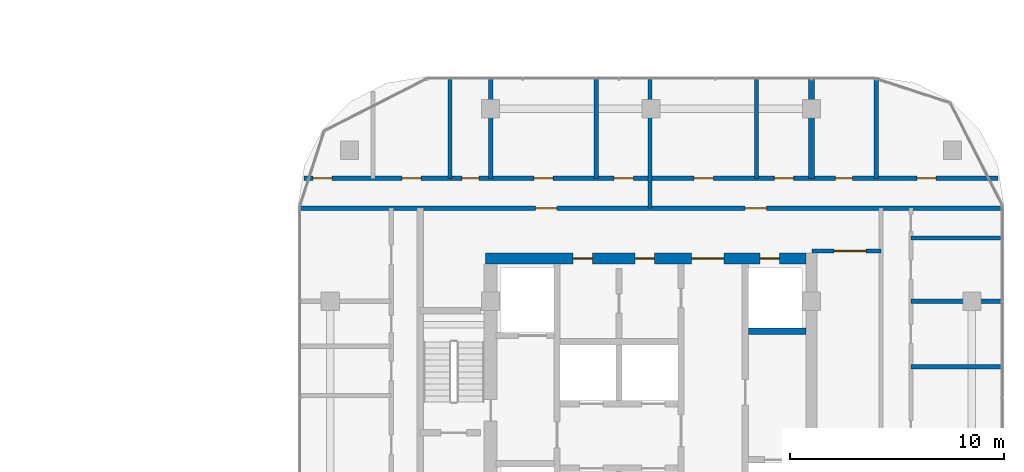
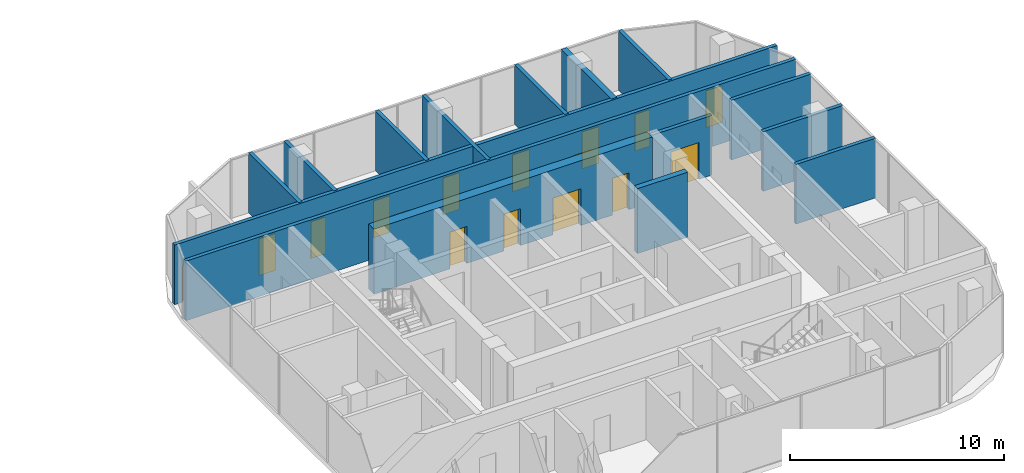
# One storey, part 22 of 31: 16 doors, 15 walls, 16 openings.
"""IFC4 building model written with IfcOpenShell, lengths in metres."""

from ifc_helpers import new_model, si_unit, direction, frame, frame_2d, origin, place, context, subcontext, project, spatial, rectangle, extrude, material, layer, layer_set, type_object, element, fill, save


model = new_model("IFC4")

# Units and contexts
model_context = context("Model", 3, precision=1e-05, world=origin(), true_north=direction((0.0, 1.0)))
body_context = subcontext(model_context, "Body", "Model", "MODEL_VIEW")
ifc_project = project(units=[si_unit("LENGTHUNIT", "METRE"), si_unit("AREAUNIT", "SQUARE_METRE"), si_unit("VOLUMEUNIT", "CUBIC_METRE"), si_unit("PLANEANGLEUNIT", "RADIAN"), si_unit("MASSUNIT", "GRAM", prefix="KILO")], contexts=[model_context])

# Site, building, storey
site_placement = place(None, origin())
site = spatial("IfcSite", under=ifc_project, at=site_placement, CompositionType="ELEMENT")
building_placement = place(site_placement, origin())
building = spatial("IfcBuilding", under=site, at=building_placement, Name="Ogive Portal Towers", CompositionType="ELEMENT")
storey_placement = place(building_placement, frame((0.0, 0.0, 74.199951171875)))
storey = spatial("IfcBuildingStorey", under=building, at=storey_placement, Name="L17", CompositionType="ELEMENT", Elevation=74.199951171875)

# Wall
ifc_material_1 = material(Name="Concrete C60/75", Category="concrete")
ifc_layer_1 = layer(ifc_material_1, 0.300048828125)
ifc_layer_set_1 = layer_set([ifc_layer_1], Name="CORE WALL 300 C60")
wall_type_1 = type_object("IfcWallType", Name="CORE WALL 300 C60", PredefinedType="SHEAR", material=ifc_layer_set_1)
wall_1_placement = place(storey_placement, frame((141.050048828125, 34.10009765625, 0.0), z_axis=(0.0, 0.0, 1.0), x_axis=(1.0, 0.0, 0.0)))
element("IfcWall", 1, at=wall_1_placement, inside=storey, type_object=wall_type_1, Name="Tower B core wall BY7 L17", PredefinedType="SHEAR", context=body_context, shape_type="SweptSolid", body=[
    extrude(rectangle(XDim=2.699951171875, YDim=0.300048828125, at=frame_2d((1.35009765625, 0.0))), origin(), (0.0, 0.0, 1.0), 3.699951171875),
])

# Wall, openings, doors
ifc_layer_2 = layer(ifc_material_1, 0.5)
ifc_layer_set_2 = layer_set([ifc_layer_2], Name="CORE WALL 500 C60")
wall_type_2 = type_object("IfcWallType", Name="CORE WALL 500 C60", PredefinedType="SHEAR", material=ifc_layer_set_2)
wall_2_placement = place(storey_placement, frame((128.75, 37.5, 0.0), z_axis=(0.0, 0.0, 1.0), x_axis=(1.0, 0.0, 0.0)))
wall_2 = element("IfcWall", 2, at=wall_2_placement, inside=storey, type_object=wall_type_2, Name="Tower B core wall BN L17", PredefinedType="SHEAR", context=body_context, shape_type="SweptSolid", body=[
    extrude(rectangle(XDim=15.0, YDim=0.5, at=frame_2d((7.5, 0.0))), origin(), (0.0, 0.0, 1.0), 3.699951171875),
])
opening_1_placement = place(wall_2_placement, frame((9.64990234375, 0.0, 0.0)))
opening_1 = element("IfcOpeningElement", 3, at=opening_1_placement, cuts=wall_2, Name="Opening B05-046", PredefinedType="OPENING", context=body_context, shape_type="SweptSolid", body=[
    extrude(rectangle(XDim=1.5, YDim=2.10009765625, at=frame_2d((0.75, 1.050048828125))), frame((0.0, 0.260009765625, 0.0), z_axis=(0.0, -1.0, 0.0), x_axis=(1.0, 0.0, 0.0)), (0.0, 0.0, 1.0), 0.52001953125),
])
opening_2_placement = place(wall_2_placement, frame((12.85009765625, 0.0, 0.0)))
opening_2 = element("IfcOpeningElement", 4, at=opening_2_placement, cuts=wall_2, Name="Opening B05-048", PredefinedType="OPENING", context=body_context, shape_type="SweptSolid", body=[
    extrude(rectangle(XDim=0.89990234375, YDim=2.10009765625, at=frame_2d((0.449951171875, 1.050048828125))), frame((0.0, 0.260009765625, 0.0), z_axis=(0.0, -1.0, 0.0), x_axis=(1.0, 0.0, 0.0)), (0.0, 0.0, 1.0), 0.52001953125),
])
opening_3_placement = place(wall_2_placement, frame((4.10009765625, 0.0, 0.0)))
opening_3 = element("IfcOpeningElement", 5, at=opening_3_placement, cuts=wall_2, Name="Opening B05-055", PredefinedType="OPENING", context=body_context, shape_type="SweptSolid", body=[
    extrude(rectangle(XDim=0.89990234375, YDim=2.10009765625, at=frame_2d((0.449951171875, 1.050048828125))), frame((0.0, 0.260009765625, 0.0), z_axis=(0.0, -1.0, 0.0), x_axis=(1.0, 0.0, 0.0)), (0.0, 0.0, 1.0), 0.52001953125),
])
opening_4_placement = place(wall_2_placement, frame((7.0, 0.0, 0.0)))
opening_4 = element("IfcOpeningElement", 6, at=opening_4_placement, cuts=wall_2, Name="Opening B05-056", PredefinedType="OPENING", context=body_context, shape_type="SweptSolid", body=[
    extrude(rectangle(XDim=0.89990234375, YDim=2.10009765625, at=frame_2d((0.449951171875, 1.050048828125))), frame((0.0, 0.260009765625, 0.0), z_axis=(0.0, -1.0, 0.0), x_axis=(1.0, 0.0, 0.0)), (0.0, 0.0, 1.0), 0.52001953125),
])
ifc_material_2 = material(Name="Steel fire door", Category="steel")
door_type_1 = type_object("IfcDoorType", Name="DT-SWING-1500x2100-FD90S", OperationType="SINGLE_SWING_LEFT", PredefinedType="DOOR", material=ifc_material_2)
door_1_placement = place(opening_1_placement, origin())
door_1 = element("IfcDoor", 7, at=door_1_placement, inside=storey, type_object=door_type_1, Name="Door B05-046", OperationType="SINGLE_SWING_RIGHT", OverallHeight=2.10009765625, OverallWidth=1.5, PredefinedType="DOOR", context=body_context, shape_type="SweptSolid", body=[
    extrude(rectangle(XDim=1.5, YDim=2.10009765625, at=frame_2d((0.75, 1.050048828125))), frame((0.0, 0.02490234375, 0.0), z_axis=(0.0, -1.0, 0.0), x_axis=(1.0, 0.0, 0.0)), (0.0, 0.0, 1.0), 0.050048828125),
])
fill(opening_1, door_1)
door_type_2 = type_object("IfcDoorType", Name="DT-SWING-900x2100-FD90S", OperationType="SINGLE_SWING_LEFT", PredefinedType="DOOR", material=ifc_material_2)
door_2_placement = place(opening_2_placement, origin())
door_2 = element("IfcDoor", 8, at=door_2_placement, inside=storey, type_object=door_type_2, Name="Riser access door B05-048", OperationType="SINGLE_SWING_RIGHT", OverallHeight=2.10009765625, OverallWidth=0.89990234375, PredefinedType="DOOR", context=body_context, shape_type="SweptSolid", body=[
    extrude(rectangle(XDim=0.89990234375, YDim=2.10009765625, at=frame_2d((0.449951171875, 1.050048828125))), frame((0.0, 0.02490234375, 0.0), z_axis=(0.0, -1.0, 0.0), x_axis=(1.0, 0.0, 0.0)), (0.0, 0.0, 1.0), 0.050048828125),
])
fill(opening_2, door_2)
door_3_placement = place(opening_3_placement, origin())
door_3 = element("IfcDoor", 9, at=door_3_placement, inside=storey, type_object=door_type_2, Name="Door B05-055", OperationType="SINGLE_SWING_LEFT", OverallHeight=2.10009765625, OverallWidth=0.89990234375, PredefinedType="DOOR", context=body_context, shape_type="SweptSolid", body=[
    extrude(rectangle(XDim=0.89990234375, YDim=2.10009765625, at=frame_2d((0.449951171875, 1.050048828125))), frame((0.0, 0.02490234375, 0.0), z_axis=(0.0, -1.0, 0.0), x_axis=(1.0, 0.0, 0.0)), (0.0, 0.0, 1.0), 0.050048828125),
])
fill(opening_3, door_3)
door_4_placement = place(opening_4_placement, origin())
door_4 = element("IfcDoor", 10, at=door_4_placement, inside=storey, type_object=door_type_2, Name="Door B05-056", OperationType="SINGLE_SWING_RIGHT", OverallHeight=2.10009765625, OverallWidth=0.89990234375, PredefinedType="DOOR", context=body_context, shape_type="SweptSolid", body=[
    extrude(rectangle(XDim=0.89990234375, YDim=2.10009765625, at=frame_2d((0.449951171875, 1.050048828125))), frame((0.0, 0.02490234375, 0.0), z_axis=(0.0, -1.0, 0.0), x_axis=(1.0, 0.0, 0.0)), (0.0, 0.0, 1.0), 0.050048828125),
])
fill(opening_4, door_4)

# Walls
ifc_material_3 = material(Name="Gypsum board partition on steel studs", Category="steel")
ifc_layer_3 = layer(ifc_material_3, 0.199951171875)
ifc_layer_set_3 = layer_set([ifc_layer_3], Name="WT-PART-200-EI 60")
wall_type_3 = type_object("IfcWallType", Name="WT-PART-200-EI 60", PredefinedType="PARTITIONING", material=ifc_layer_set_3)
for number, where, z_axis, x_axis, name in (
    (11, (148.64990234375, 32.43310546875, 0.0), (0.0, 0.0, 1.0), (1.0, 0.0, 0.0), "Wall L17:w012"),
    (12, (148.64990234375, 35.5, 0.0), (0.0, 0.0, 1.0), (1.0, 0.0, 0.0), "Wall L17:w016"),
):
    element("IfcWall", number, at=place(storey_placement, frame(where, z_axis=z_axis, x_axis=x_axis)), inside=storey, type_object=wall_type_3, Name=name, PredefinedType="PARTITIONING", context=body_context, shape_type="SweptSolid", body=[
        extrude(rectangle(XDim=4.280029296875, YDim=0.199951171875, at=frame_2d((2.14013671875, 0.0))), origin(), (0.0, 0.0, 1.0), 3.400146484375),
    ])

# Wall, opening, door
wall_3_placement = place(storey_placement, frame((144.02001953125, 37.85009765625, 0.0), z_axis=(0.0, 0.0, 1.0), x_axis=(1.0, 0.0, 0.0)))
wall_3 = element("IfcWall", 13, at=wall_3_placement, inside=storey, type_object=wall_type_3, Name="Wall L17:w018", PredefinedType="PARTITIONING", context=body_context, shape_type="SweptSolid", body=[
    extrude(rectangle(XDim=3.22998046875, YDim=0.199951171875, at=frame_2d((1.614990234375, 0.0))), origin(), (0.0, 0.0, 1.0), 3.400146484375),
])
opening_5_placement = place(wall_3_placement, frame((1.030029296875, 0.0, 0.0)))
opening_5 = element("IfcOpeningElement", 14, at=opening_5_placement, cuts=wall_3, Name="Opening B05-001", PredefinedType="OPENING", context=body_context, shape_type="SweptSolid", body=[
    extrude(rectangle(XDim=1.5, YDim=2.10009765625, at=frame_2d((0.75, 1.050048828125))), frame((0.0, 0.10986328125, 0.0), z_axis=(0.0, -1.0, 0.0), x_axis=(1.0, 0.0, 0.0)), (0.0, 0.0, 1.0), 0.219970703125),
])
door_type_3 = type_object("IfcDoorType", Name="DT-SWING-1500x2100-FD60S", OperationType="SINGLE_SWING_LEFT", PredefinedType="DOOR", material=ifc_material_2)
door_5_placement = place(opening_5_placement, origin())
door_5 = element("IfcDoor", 15, at=door_5_placement, inside=storey, type_object=door_type_3, Name="Door B05-001", OperationType="SINGLE_SWING_LEFT", OverallHeight=2.10009765625, OverallWidth=1.5, PredefinedType="DOOR", context=body_context, shape_type="SweptSolid", body=[
    extrude(rectangle(XDim=1.5, YDim=2.10009765625, at=frame_2d((0.75, 1.050048828125))), frame((0.0, 0.02490234375, 0.0), z_axis=(0.0, -1.0, 0.0), x_axis=(1.0, 0.0, 0.0)), (0.0, 0.0, 1.0), 0.050048828125),
])
fill(opening_5, door_5)

# Wall
wall_4_placement = place(storey_placement, frame((148.64990234375, 38.4560546875, 0.0), z_axis=(0.0, 0.0, 1.0), x_axis=(1.0, 0.0, 0.0)))
element("IfcWall", 16, at=wall_4_placement, inside=storey, type_object=wall_type_3, Name="Wall L17:w019", PredefinedType="PARTITIONING", context=body_context, shape_type="SweptSolid", body=[
    extrude(rectangle(XDim=4.280029296875, YDim=0.199951171875, at=frame_2d((2.14013671875, 0.0))), origin(), (0.0, 0.0, 1.0), 3.400146484375),
])

# Wall, openings, doors
wall_5_placement = place(storey_placement, frame((120.070068359375, 39.85009765625, 0.0), z_axis=(0.0, 0.0, 1.0), x_axis=(1.0, 0.0, 0.0)))
wall_5 = element("IfcWall", 17, at=wall_5_placement, inside=storey, type_object=wall_type_3, Name="Wall L17:w020", PredefinedType="PARTITIONING", context=body_context, shape_type="SweptSolid", body=[
    extrude(rectangle(XDim=32.85986328125, YDim=0.199951171875, at=frame_2d((16.429931640625, 0.0))), origin(), (0.0, 0.0, 1.0), 3.400146484375),
])
opening_6_placement = place(wall_5_placement, frame((11.030029296875, 0.0, 0.0)))
opening_6 = element("IfcOpeningElement", 18, at=opening_6_placement, cuts=wall_5, Name="Opening B05-005", PredefinedType="OPENING", context=body_context, shape_type="SweptSolid", body=[
    extrude(rectangle(XDim=1.0, YDim=2.10009765625, at=frame_2d((0.5, 1.050048828125))), frame((0.0, 0.10986328125, 0.0), z_axis=(0.0, -1.0, 0.0), x_axis=(1.0, 0.0, 0.0)), (0.0, 0.0, 1.0), 0.219970703125),
])
opening_7_placement = place(wall_5_placement, frame((20.830078125, 0.0, 0.0)))
opening_7 = element("IfcOpeningElement", 19, at=opening_7_placement, cuts=wall_5, Name="Opening B05-011", PredefinedType="OPENING", context=body_context, shape_type="SweptSolid", body=[
    extrude(rectangle(XDim=1.0, YDim=2.10009765625, at=frame_2d((0.5, 1.050048828125))), frame((0.0, 0.10986328125, 0.0), z_axis=(0.0, -1.0, 0.0), x_axis=(1.0, 0.0, 0.0)), (0.0, 0.0, 1.0), 0.219970703125),
])
door_type_4 = type_object("IfcDoorType", Name="DT-SWING-1000x2100-FD60S", OperationType="SINGLE_SWING_LEFT", PredefinedType="DOOR", material=ifc_material_2)
door_6_placement = place(opening_6_placement, origin())
door_6 = element("IfcDoor", 20, at=door_6_placement, inside=storey, type_object=door_type_4, Name="Door B05-005", OperationType="SINGLE_SWING_LEFT", OverallHeight=2.10009765625, OverallWidth=1.0, PredefinedType="DOOR", context=body_context, shape_type="SweptSolid", body=[
    extrude(rectangle(XDim=1.0, YDim=2.10009765625, at=frame_2d((0.5, 1.050048828125))), frame((0.0, 0.02490234375, 0.0), z_axis=(0.0, -1.0, 0.0), x_axis=(1.0, 0.0, 0.0)), (0.0, 0.0, 1.0), 0.050048828125),
])
fill(opening_6, door_6)
door_7_placement = place(opening_7_placement, origin())
door_7 = element("IfcDoor", 21, at=door_7_placement, inside=storey, type_object=door_type_4, Name="Door B05-011", OperationType="SINGLE_SWING_LEFT", OverallHeight=2.10009765625, OverallWidth=1.0, PredefinedType="DOOR", context=body_context, shape_type="SweptSolid", body=[
    extrude(rectangle(XDim=1.0, YDim=2.10009765625, at=frame_2d((0.5, 1.050048828125))), frame((0.0, 0.02490234375, 0.0), z_axis=(0.0, -1.0, 0.0), x_axis=(1.0, 0.0, 0.0)), (0.0, 0.0, 1.0), 0.050048828125),
])
fill(opening_7, door_7)

wall_6_placement = place(storey_placement, frame((120.26904296875, 41.25, 0.0), z_axis=(0.0, 0.0, 1.0), x_axis=(1.0, 0.0, 0.0)))
wall_6 = element("IfcWall", 22, at=wall_6_placement, inside=storey, type_object=wall_type_3, Name="Wall L17:w021", PredefinedType="PARTITIONING", context=body_context, shape_type="SweptSolid", body=[
    extrude(rectangle(XDim=32.4619140625, YDim=0.199951171875, at=frame_2d((16.23095703125, 0.0))), origin(), (0.0, 0.0, 1.0), 3.400146484375),
])
opening_8_placement = place(wall_6_placement, frame((0.4140625, 0.0, 0.0)))
opening_8 = element("IfcOpeningElement", 23, at=opening_8_placement, cuts=wall_6, Name="Opening B05-006", PredefinedType="OPENING", context=body_context, shape_type="SweptSolid", body=[
    extrude(rectangle(XDim=0.89990234375, YDim=2.10009765625, at=frame_2d((0.449951171875, 1.050048828125))), frame((0.0, 0.10986328125, 0.0), z_axis=(0.0, -1.0, 0.0), x_axis=(1.0, 0.0, 0.0)), (0.0, 0.0, 1.0), 0.219970703125),
])
opening_9_placement = place(wall_6_placement, frame((4.5810546875, 0.0, 0.0)))
opening_9 = element("IfcOpeningElement", 24, at=opening_9_placement, cuts=wall_6, Name="Opening B05-007", PredefinedType="OPENING", context=body_context, shape_type="SweptSolid", body=[
    extrude(rectangle(XDim=0.89990234375, YDim=2.10009765625, at=frame_2d((0.449951171875, 1.050048828125))), frame((0.0, 0.10986328125, 0.0), z_axis=(0.0, -1.0, 0.0), x_axis=(1.0, 0.0, 0.0)), (0.0, 0.0, 1.0), 0.219970703125),
])
opening_10_placement = place(wall_6_placement, frame((7.381103515625, 0.0, 0.0)))
opening_10 = element("IfcOpeningElement", 25, at=opening_10_placement, cuts=wall_6, Name="Opening B05-008", PredefinedType="OPENING", context=body_context, shape_type="SweptSolid", body=[
    extrude(rectangle(XDim=0.800048828125, YDim=2.10009765625, at=frame_2d((0.39990234375, 1.050048828125))), frame((0.0, 0.10986328125, 0.0), z_axis=(0.0, -1.0, 0.0), x_axis=(1.0, 0.0, 0.0)), (0.0, 0.0, 1.0), 0.219970703125),
])
opening_11_placement = place(wall_6_placement, frame((10.748046875, 0.0, 0.0)))
opening_11 = element("IfcOpeningElement", 26, at=opening_11_placement, cuts=wall_6, Name="Opening B05-009", PredefinedType="OPENING", context=body_context, shape_type="SweptSolid", body=[
    extrude(rectangle(XDim=0.89990234375, YDim=2.10009765625, at=frame_2d((0.449951171875, 1.050048828125))), frame((0.0, 0.10986328125, 0.0), z_axis=(0.0, -1.0, 0.0), x_axis=(1.0, 0.0, 0.0)), (0.0, 0.0, 1.0), 0.219970703125),
])
opening_12_placement = place(wall_6_placement, frame((14.498046875, 0.0, 0.0)))
opening_12 = element("IfcOpeningElement", 27, at=opening_12_placement, cuts=wall_6, Name="Opening B05-010", PredefinedType="OPENING", context=body_context, shape_type="SweptSolid", body=[
    extrude(rectangle(XDim=0.89990234375, YDim=2.10009765625, at=frame_2d((0.449951171875, 1.050048828125))), frame((0.0, 0.10986328125, 0.0), z_axis=(0.0, -1.0, 0.0), x_axis=(1.0, 0.0, 0.0)), (0.0, 0.0, 1.0), 0.219970703125),
])
opening_13_placement = place(wall_6_placement, frame((18.248046875, 0.0, 0.0)))
opening_13 = element("IfcOpeningElement", 28, at=opening_13_placement, cuts=wall_6, Name="Opening B05-012", PredefinedType="OPENING", context=body_context, shape_type="SweptSolid", body=[
    extrude(rectangle(XDim=0.89990234375, YDim=2.10009765625, at=frame_2d((0.449951171875, 1.050048828125))), frame((0.0, 0.10986328125, 0.0), z_axis=(0.0, -1.0, 0.0), x_axis=(1.0, 0.0, 0.0)), (0.0, 0.0, 1.0), 0.219970703125),
])
opening_14_placement = place(wall_6_placement, frame((21.998046875, 0.0, 0.0)))
opening_14 = element("IfcOpeningElement", 29, at=opening_14_placement, cuts=wall_6, Name="Opening B05-013", PredefinedType="OPENING", context=body_context, shape_type="SweptSolid", body=[
    extrude(rectangle(XDim=0.89990234375, YDim=2.10009765625, at=frame_2d((0.449951171875, 1.050048828125))), frame((0.0, 0.10986328125, 0.0), z_axis=(0.0, -1.0, 0.0), x_axis=(1.0, 0.0, 0.0)), (0.0, 0.0, 1.0), 0.219970703125),
])
opening_15_placement = place(wall_6_placement, frame((24.842041015625, 0.0, 0.0)))
opening_15 = element("IfcOpeningElement", 30, at=opening_15_placement, cuts=wall_6, Name="Opening B05-014", PredefinedType="OPENING", context=body_context, shape_type="SweptSolid", body=[
    extrude(rectangle(XDim=0.800048828125, YDim=2.10009765625, at=frame_2d((0.39990234375, 1.050048828125))), frame((0.0, 0.10986328125, 0.0), z_axis=(0.0, -1.0, 0.0), x_axis=(1.0, 0.0, 0.0)), (0.0, 0.0, 1.0), 0.219970703125),
])
opening_16_placement = place(wall_6_placement, frame((28.658935546875, 0.0, 0.0)))
opening_16 = element("IfcOpeningElement", 31, at=opening_16_placement, cuts=wall_6, Name="Opening B05-015", PredefinedType="OPENING", context=body_context, shape_type="SweptSolid", body=[
    extrude(rectangle(XDim=0.89990234375, YDim=2.10009765625, at=frame_2d((0.449951171875, 1.050048828125))), frame((0.0, 0.10986328125, 0.0), z_axis=(0.0, -1.0, 0.0), x_axis=(1.0, 0.0, 0.0)), (0.0, 0.0, 1.0), 0.219970703125),
])
door_type_5 = type_object("IfcDoorType", Name="DT-SWING-800x2100-FD60S", OperationType="SINGLE_SWING_LEFT", PredefinedType="DOOR", material=ifc_material_2)
door_8_placement = place(opening_10_placement, origin())
door_8 = element("IfcDoor", 32, at=door_8_placement, inside=storey, type_object=door_type_5, Name="Door B05-008", OperationType="SINGLE_SWING_RIGHT", OverallHeight=2.10009765625, OverallWidth=0.800048828125, PredefinedType="DOOR", context=body_context, shape_type="SweptSolid", body=[
    extrude(rectangle(XDim=0.800048828125, YDim=2.10009765625, at=frame_2d((0.39990234375, 1.050048828125))), frame((0.0, 0.02490234375, 0.0), z_axis=(0.0, -1.0, 0.0), x_axis=(1.0, 0.0, 0.0)), (0.0, 0.0, 1.0), 0.050048828125),
])
fill(opening_10, door_8)
door_9_placement = place(opening_15_placement, origin())
door_9 = element("IfcDoor", 33, at=door_9_placement, inside=storey, type_object=door_type_5, Name="Door B05-014", OperationType="SINGLE_SWING_RIGHT", OverallHeight=2.10009765625, OverallWidth=0.800048828125, PredefinedType="DOOR", context=body_context, shape_type="SweptSolid", body=[
    extrude(rectangle(XDim=0.800048828125, YDim=2.10009765625, at=frame_2d((0.39990234375, 1.050048828125))), frame((0.0, 0.02490234375, 0.0), z_axis=(0.0, -1.0, 0.0), x_axis=(1.0, 0.0, 0.0)), (0.0, 0.0, 1.0), 0.050048828125),
])
fill(opening_15, door_9)
door_type_6 = type_object("IfcDoorType", Name="DT-SWING-900x2100-FD60S", OperationType="SINGLE_SWING_LEFT", PredefinedType="DOOR", material=ifc_material_2)
door_10_placement = place(opening_8_placement, origin())
door_10 = element("IfcDoor", 34, at=door_10_placement, inside=storey, type_object=door_type_6, Name="Door B05-006", OperationType="SINGLE_SWING_RIGHT", OverallHeight=2.10009765625, OverallWidth=0.89990234375, PredefinedType="DOOR", context=body_context, shape_type="SweptSolid", body=[
    extrude(rectangle(XDim=0.89990234375, YDim=2.10009765625, at=frame_2d((0.449951171875, 1.050048828125))), frame((0.0, 0.02490234375, 0.0), z_axis=(0.0, -1.0, 0.0), x_axis=(1.0, 0.0, 0.0)), (0.0, 0.0, 1.0), 0.050048828125),
])
fill(opening_8, door_10)
door_11_placement = place(opening_9_placement, origin())
door_11 = element("IfcDoor", 35, at=door_11_placement, inside=storey, type_object=door_type_6, Name="Door B05-007", OperationType="SINGLE_SWING_LEFT", OverallHeight=2.10009765625, OverallWidth=0.89990234375, PredefinedType="DOOR", context=body_context, shape_type="SweptSolid", body=[
    extrude(rectangle(XDim=0.89990234375, YDim=2.10009765625, at=frame_2d((0.449951171875, 1.050048828125))), frame((0.0, 0.02490234375, 0.0), z_axis=(0.0, -1.0, 0.0), x_axis=(1.0, 0.0, 0.0)), (0.0, 0.0, 1.0), 0.050048828125),
])
fill(opening_9, door_11)
door_12_placement = place(opening_11_placement, origin())
door_12 = element("IfcDoor", 36, at=door_12_placement, inside=storey, type_object=door_type_6, Name="Door B05-009", OperationType="SINGLE_SWING_LEFT", OverallHeight=2.10009765625, OverallWidth=0.89990234375, PredefinedType="DOOR", context=body_context, shape_type="SweptSolid", body=[
    extrude(rectangle(XDim=0.89990234375, YDim=2.10009765625, at=frame_2d((0.449951171875, 1.050048828125))), frame((0.0, 0.02490234375, 0.0), z_axis=(0.0, -1.0, 0.0), x_axis=(1.0, 0.0, 0.0)), (0.0, 0.0, 1.0), 0.050048828125),
])
fill(opening_11, door_12)
door_13_placement = place(opening_12_placement, origin())
door_13 = element("IfcDoor", 37, at=door_13_placement, inside=storey, type_object=door_type_6, Name="Door B05-010", OperationType="SINGLE_SWING_RIGHT", OverallHeight=2.10009765625, OverallWidth=0.89990234375, PredefinedType="DOOR", context=body_context, shape_type="SweptSolid", body=[
    extrude(rectangle(XDim=0.89990234375, YDim=2.10009765625, at=frame_2d((0.449951171875, 1.050048828125))), frame((0.0, 0.02490234375, 0.0), z_axis=(0.0, -1.0, 0.0), x_axis=(1.0, 0.0, 0.0)), (0.0, 0.0, 1.0), 0.050048828125),
])
fill(opening_12, door_13)
door_14_placement = place(opening_13_placement, origin())
door_14 = element("IfcDoor", 38, at=door_14_placement, inside=storey, type_object=door_type_6, Name="Door B05-012", OperationType="SINGLE_SWING_RIGHT", OverallHeight=2.10009765625, OverallWidth=0.89990234375, PredefinedType="DOOR", context=body_context, shape_type="SweptSolid", body=[
    extrude(rectangle(XDim=0.89990234375, YDim=2.10009765625, at=frame_2d((0.449951171875, 1.050048828125))), frame((0.0, 0.02490234375, 0.0), z_axis=(0.0, -1.0, 0.0), x_axis=(1.0, 0.0, 0.0)), (0.0, 0.0, 1.0), 0.050048828125),
])
fill(opening_13, door_14)
door_15_placement = place(opening_14_placement, origin())
door_15 = element("IfcDoor", 39, at=door_15_placement, inside=storey, type_object=door_type_6, Name="Door B05-013", OperationType="SINGLE_SWING_LEFT", OverallHeight=2.10009765625, OverallWidth=0.89990234375, PredefinedType="DOOR", context=body_context, shape_type="SweptSolid", body=[
    extrude(rectangle(XDim=0.89990234375, YDim=2.10009765625, at=frame_2d((0.449951171875, 1.050048828125))), frame((0.0, 0.02490234375, 0.0), z_axis=(0.0, -1.0, 0.0), x_axis=(1.0, 0.0, 0.0)), (0.0, 0.0, 1.0), 0.050048828125),
])
fill(opening_14, door_15)
door_16_placement = place(opening_16_placement, origin())
door_16 = element("IfcDoor", 40, at=door_16_placement, inside=storey, type_object=door_type_6, Name="Door B05-015", OperationType="SINGLE_SWING_LEFT", OverallHeight=2.10009765625, OverallWidth=0.89990234375, PredefinedType="DOOR", context=body_context, shape_type="SweptSolid", body=[
    extrude(rectangle(XDim=0.89990234375, YDim=2.10009765625, at=frame_2d((0.449951171875, 1.050048828125))), frame((0.0, 0.02490234375, 0.0), z_axis=(0.0, -1.0, 0.0), x_axis=(1.0, 0.0, 0.0)), (0.0, 0.0, 1.0), 0.050048828125),
])
fill(opening_16, door_16)

# Walls
for number, where, z_axis, x_axis, name in (
    (41, (127.10009765625, 41.25, 0.0), (0.0, 0.0, 1.0), (0.0, 1.0, 0.0), "Wall L17:w027"),
    (42, (129.0, 41.25, 0.0), (0.0, 0.0, 1.0), (0.0, 1.0, 0.0), "Wall L17:w031"),
    (43, (133.93310546875, 41.25, 0.0), (0.0, 0.0, 1.0), (0.0, 1.0, 0.0), "Wall L17:w033"),
):
    element("IfcWall", number, at=place(storey_placement, frame(where, z_axis=z_axis, x_axis=x_axis)), inside=storey, type_object=wall_type_3, Name=name, PredefinedType="PARTITIONING", context=body_context, shape_type="SweptSolid", body=[
        extrude(rectangle(XDim=4.679931640625, YDim=0.199951171875, at=frame_2d((2.33984375, 0.0))), origin(), (0.0, 0.0, 1.0), 3.400146484375),
    ])
wall_7_placement = place(storey_placement, frame((136.449951171875, 39.85009765625, 0.0), z_axis=(0.0, 0.0, 1.0), x_axis=(0.0, 1.0, 0.0)))
element("IfcWall", 44, at=wall_7_placement, inside=storey, type_object=wall_type_3, Name="Wall L17:w036", PredefinedType="PARTITIONING", context=body_context, shape_type="SweptSolid", body=[
    extrude(rectangle(XDim=6.079833984375, YDim=0.199951171875, at=frame_2d((3.0400390625, 0.0))), origin(), (0.0, 0.0, 1.0), 3.400146484375),
])
wall_8_placement = place(storey_placement, frame((141.43310546875, 41.25, 0.0), z_axis=(0.0, 0.0, 1.0), x_axis=(0.0, 1.0, 0.0)))
element("IfcWall", 45, at=wall_8_placement, inside=storey, type_object=wall_type_3, Name="Wall L17:w038", PredefinedType="PARTITIONING", context=body_context, shape_type="SweptSolid", body=[
    extrude(rectangle(XDim=4.679931640625, YDim=0.199951171875, at=frame_2d((2.33984375, 0.0))), origin(), (0.0, 0.0, 1.0), 3.400146484375),
])
wall_9_placement = place(storey_placement, frame((147.02197265625, 41.25, 0.0), z_axis=(0.0, 0.0, 1.0), x_axis=(0.0, 1.0, 0.0)))
element("IfcWall", 46, at=wall_9_placement, inside=storey, type_object=wall_type_3, Name="Wall L17:w044", PredefinedType="PARTITIONING", context=body_context, shape_type="SweptSolid", body=[
    extrude(rectangle(XDim=4.676025390625, YDim=0.199951171875, at=frame_2d((2.337890625, 0.0))), origin(), (0.0, 0.0, 1.0), 3.400146484375),
])
ifc_layer_4 = layer(ifc_material_3, 0.300048828125)
ifc_layer_set_4 = layer_set([ifc_layer_4], Name="WT-PART-300-EI 60")
wall_type_4 = type_object("IfcWallType", Name="WT-PART-300-EI 60", PredefinedType="PARTITIONING", material=ifc_layer_set_4)
wall_10_placement = place(storey_placement, frame((144.0, 41.25, 0.0), z_axis=(0.0, 0.0, 1.0), x_axis=(0.0, 1.0, 0.0)))
element("IfcWall", 47, at=wall_10_placement, inside=storey, type_object=wall_type_4, Name="Wall L17:w040", PredefinedType="PARTITIONING", context=body_context, shape_type="SweptSolid", body=[
    extrude(rectangle(XDim=4.679931640625, YDim=0.300048828125, at=frame_2d((2.33984375, 0.0))), origin(), (0.0, 0.0, 1.0), 3.400146484375),
])

save(model, "model.ifc")
